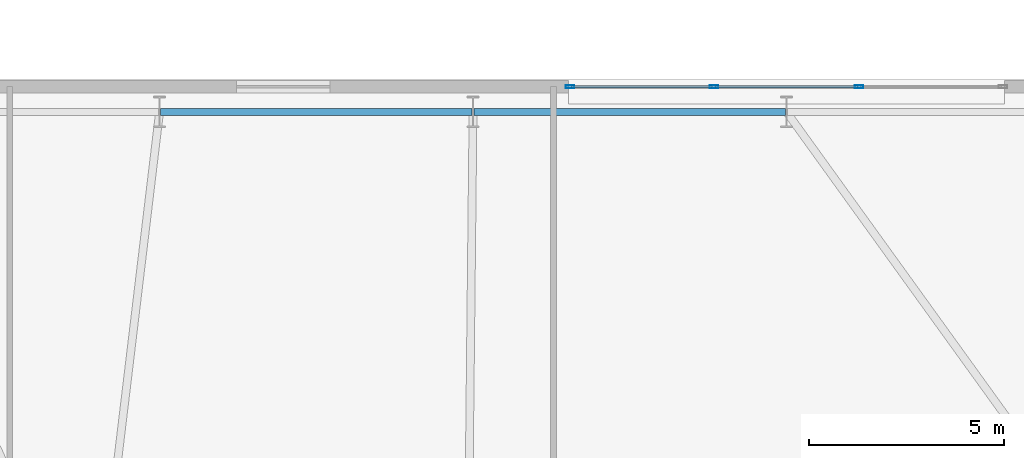
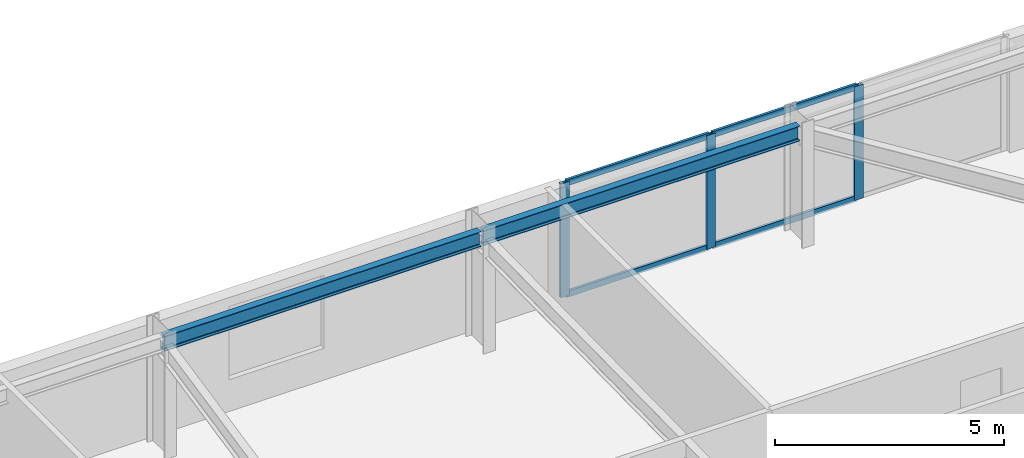
# One storey, part 8 of 18: 7 members, 2 beams, 1 element without a shape of its own.
"""IFC4 building model written with IfcOpenShell, lengths in metres."""

from ifc_helpers import new_model, si_unit, direction, frame, origin, origin_2d, place, context, subcontext, project, spatial, hollow_rectangle, i_section, extrude, material, layer, layer_set, material_profile, profile_set, type_object, element, aggregate, save


model = new_model("IFC4")

# Units and contexts
model_context = context("Model", 3, precision=1e-05, world=origin(), true_north=direction((0.0, 1.0)))
body_context = subcontext(model_context, "Body", "Model", "MODEL_VIEW")
ifc_project = project(units=[si_unit("LENGTHUNIT", "METRE"), si_unit("AREAUNIT", "SQUARE_METRE"), si_unit("VOLUMEUNIT", "CUBIC_METRE"), si_unit("PLANEANGLEUNIT", "RADIAN"), si_unit("MASSUNIT", "GRAM", prefix="KILO")], contexts=[model_context])

# Site, building, storey
site_placement = place(None, origin())
site = spatial("IfcSite", under=ifc_project, at=site_placement, CompositionType="ELEMENT")
building_placement = place(site_placement, origin())
building = spatial("IfcBuilding", under=site, at=building_placement, Name="Qobustan Lattice House", CompositionType="ELEMENT")
storey_placement = place(building_placement, frame((0.0, 0.0, 147.75)))
storey = spatial("IfcBuildingStorey", under=building, at=storey_placement, Name="L41", CompositionType="ELEMENT", Elevation=147.75)

# Beams
ifc_material_1 = material(Name="Steel S355", Category="steel")
ifc_material_profile_1 = material_profile(ifc_material_1, i_section(OverallWidth=0.179931640625, OverallDepth=0.39990234375, WebThickness=0.008544921875, FlangeThickness=0.013427734375, FilletRadius=0.02099609375, at=origin_2d()), Name="IPE400")
ifc_profile_set_1 = profile_set([ifc_material_profile_1], Name="Steel S355")
beam_type = type_object("IfcBeamType", Name="BM-SPD-IPE400", PredefinedType="SPANDREL", material=ifc_profile_set_1)
for number, where, z_axis, x_axis, name in (
    (1, (-1.02490234375, 19.75, 2.840087890625), (-1.0, 0.0, 0.0), (0.0, -1.0, 0.0), "L41 perimeter spandrel N4-N5"),
    (2, (-9.074951171875, 19.75, 2.840087890625), (-1.0, 0.0, 0.0), (0.0, -1.0, 0.0), "L41 perimeter spandrel N5-N6"),
):
    element("IfcBeam", number, at=place(storey_placement, frame(where, z_axis=z_axis, x_axis=x_axis)), inside=storey, type_object=beam_type, Name=name, PredefinedType="SPANDREL", context=body_context, shape_type="SweptSolid", body=[
        extrude(i_section(OverallWidth=0.179931640625, OverallDepth=0.39990234375, WebThickness=0.008544921875, FlangeThickness=0.013427734375, FilletRadius=0.02099609375, at=origin_2d()), origin(), (0.0, 0.0, 1.0), 8.0),
    ])

# Curtain wall, members
ifc_material_2 = material(Name="Anodised aluminium and low-E glazing", Category="aluminium")
ifc_layer = layer(ifc_material_2, 0.219970703125)
ifc_layer_set = layer_set([ifc_layer], Name="Anodised aluminium and low-E glazing")
curtain_wall_type = type_object("IfcCurtainWallType", Name="CW-IWN-01", PredefinedType="USERDEFINED", material=ifc_layer_set)
curtain_wall_placement = place(storey_placement, origin())
curtain_wall = element("IfcCurtainWall", 3, at=curtain_wall_placement, inside=storey, type_object=curtain_wall_type, Name="L41 IWAN-3 walnut-lined iwan curtain wall", ObjectType="CURTAIN WALL", PredefinedType="USERDEFINED")
ifc_material_3 = material(Name="Anodised aluminium EN AW-6063 T6", Category="aluminium")
ifc_material_profile_2 = material_profile(ifc_material_3, hollow_rectangle(XDim=0.080078125, YDim=0.219970703125, WallThickness=0.0048828125, at=origin_2d()), Name="CWM-220x80")
ifc_profile_set_2 = profile_set([ifc_material_profile_2], Name="Anodised aluminium EN AW-6063 T6")
member_type_1 = type_object("IfcMemberType", Name="CWM-MAIN-220", PredefinedType="MULLION", material=ifc_profile_set_2)
member_1_placement = place(storey_placement, frame((-6.56005859375, 20.39990234375, 0.0), z_axis=(0.0, 0.0, 1.0), x_axis=(0.0, 1.0, 0.0)))
member_1 = element("IfcMember", 4, at=member_1_placement, type_object=member_type_1, Name="CW-IW mullion 1", PredefinedType="MULLION", context=body_context, shape_type="SweptSolid", body=[
    extrude(hollow_rectangle(XDim=0.080078125, YDim=0.219970703125, WallThickness=0.0048828125, at=origin_2d()), origin(), (0.0, 0.0, 1.0), 3.0400390625),
])
member_2_placement = place(storey_placement, frame((-2.86669921875, 20.39990234375, 0.0), z_axis=(0.0, 0.0, 1.0), x_axis=(0.0, 1.0, 0.0)))
member_2 = element("IfcMember", 5, at=member_2_placement, type_object=member_type_1, Name="CW-IW mullion 2", PredefinedType="MULLION", context=body_context, shape_type="SweptSolid", body=[
    extrude(hollow_rectangle(XDim=0.080078125, YDim=0.219970703125, WallThickness=0.0048828125, at=origin_2d()), origin(), (0.0, 0.0, 1.0), 3.0400390625),
])
member_3_placement = place(storey_placement, frame((0.86669921875, 20.39990234375, 0.0), z_axis=(0.0, 0.0, 1.0), x_axis=(0.0, 1.0, 0.0)))
member_3 = element("IfcMember", 6, at=member_3_placement, type_object=member_type_1, Name="CW-IW mullion 3", PredefinedType="MULLION", context=body_context, shape_type="SweptSolid", body=[
    extrude(hollow_rectangle(XDim=0.080078125, YDim=0.219970703125, WallThickness=0.0048828125, at=origin_2d()), origin(), (0.0, 0.0, 1.0), 3.0400390625),
])
ifc_material_4 = material(Name="Anodised aluminium EN AW-6063 T6", Category="aluminium")
ifc_material_profile_3 = material_profile(ifc_material_4, hollow_rectangle(XDim=0.06494140625, YDim=0.159912109375, WallThickness=0.00390625, at=origin_2d()), Name="CWT-160x65")
ifc_profile_set_3 = profile_set([ifc_material_profile_3], Name="Anodised aluminium EN AW-6063 T6")
member_type_2 = type_object("IfcMemberType", Name="CWT-HOR-160", PredefinedType="USERDEFINED", material=ifc_profile_set_3)
member_4_placement = place(storey_placement, frame((-6.52001953125, 20.39990234375, 0.032470703125), z_axis=(1.0, 0.0, 0.0), x_axis=(0.0, 1.0, 0.0)))
member_4 = element("IfcMember", 7, at=member_4_placement, type_object=member_type_2, Name="CW-IW transom 1.1", ObjectType="TRANSOM", PredefinedType="USERDEFINED", context=body_context, shape_type="SweptSolid", body=[
    extrude(hollow_rectangle(XDim=0.06494140625, YDim=0.159912109375, WallThickness=0.00390625, at=origin_2d()), origin(), (0.0, 0.0, 1.0), 3.61328125),
])
member_5_placement = place(storey_placement, frame((-6.52001953125, 20.39990234375, 3.007568359375), z_axis=(1.0, 0.0, 0.0), x_axis=(0.0, 1.0, 0.0)))
member_5 = element("IfcMember", 8, at=member_5_placement, type_object=member_type_2, Name="CW-IW transom 1.2", ObjectType="TRANSOM", PredefinedType="USERDEFINED", context=body_context, shape_type="SweptSolid", body=[
    extrude(hollow_rectangle(XDim=0.06494140625, YDim=0.159912109375, WallThickness=0.00390625, at=origin_2d()), origin(), (0.0, 0.0, 1.0), 3.61328125),
])
member_6_placement = place(storey_placement, frame((-2.82666015625, 20.39990234375, 0.032470703125), z_axis=(1.0, 0.0, 0.0), x_axis=(0.0, 1.0, 0.0)))
member_6 = element("IfcMember", 9, at=member_6_placement, type_object=member_type_2, Name="CW-IW transom 2.1", ObjectType="TRANSOM", PredefinedType="USERDEFINED", context=body_context, shape_type="SweptSolid", body=[
    extrude(hollow_rectangle(XDim=0.06494140625, YDim=0.159912109375, WallThickness=0.00390625, at=origin_2d()), origin(), (0.0, 0.0, 1.0), 3.6533203125),
])
member_7_placement = place(storey_placement, frame((-2.82666015625, 20.39990234375, 3.007568359375), z_axis=(1.0, 0.0, 0.0), x_axis=(0.0, 1.0, 0.0)))
member_7 = element("IfcMember", 10, at=member_7_placement, type_object=member_type_2, Name="CW-IW transom 2.2", ObjectType="TRANSOM", PredefinedType="USERDEFINED", context=body_context, shape_type="SweptSolid", body=[
    extrude(hollow_rectangle(XDim=0.06494140625, YDim=0.159912109375, WallThickness=0.00390625, at=origin_2d()), origin(), (0.0, 0.0, 1.0), 3.6533203125),
])
aggregate(curtain_wall, [member_1, member_2, member_3, member_4, member_5, member_6, member_7])

save(model, "model.ifc")
